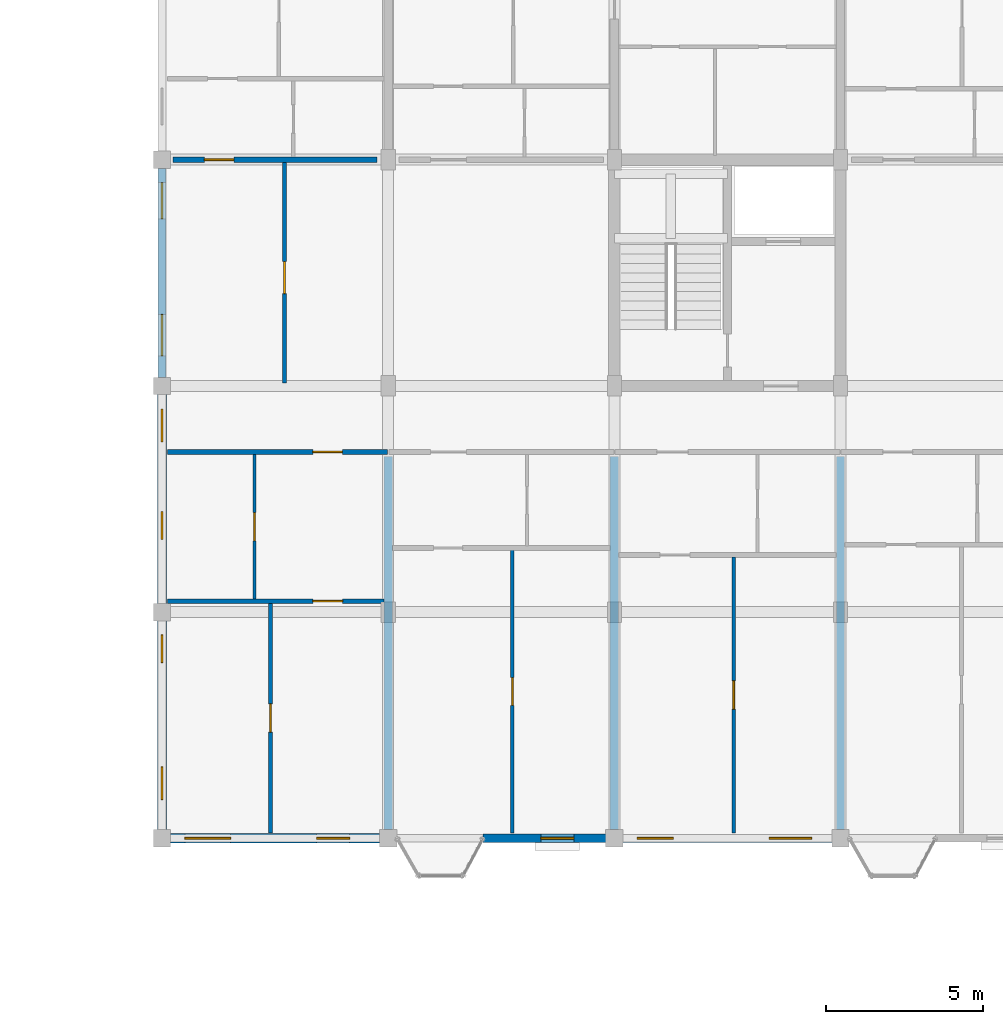
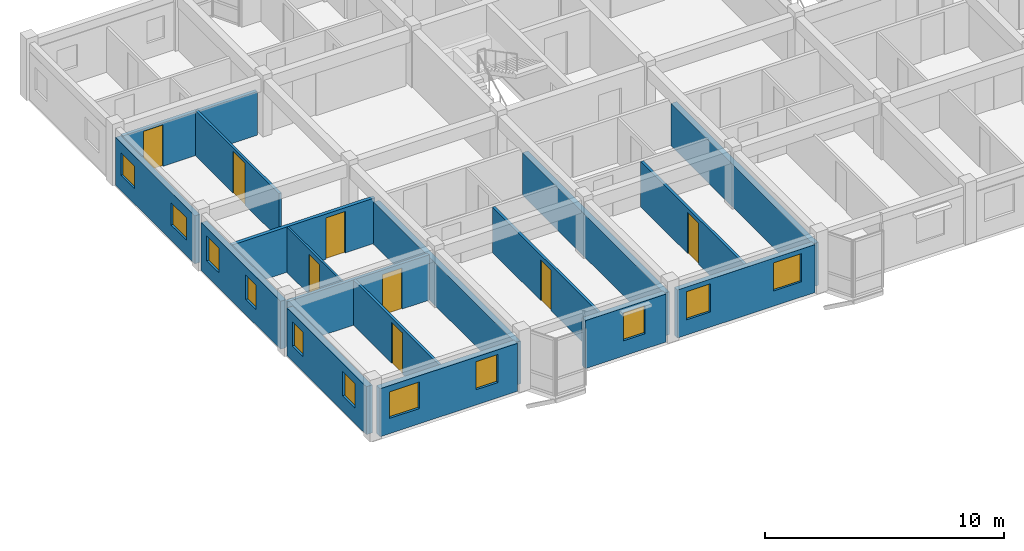
# One storey, part 65 of 77: 17 walls, 11 windows, 8 doors, 19 openings.
"""IFC4 building model written with IfcOpenShell, lengths in metres."""

import ifcopenshell
import ifcopenshell.guid

model = None  # the IFC model being written
_history = None  # IfcOwnerHistory: only IFC2X3 demands one
_inside = {}  # id of a spatial element -> (the spatial element, [elements in it])
_under = {}  # id of a project, library or spatial element -> (it, [spatial elements below it])
_declared = {}  # id of a project -> (the project, [libraries it declares])
_typed = {}  # id of a type object -> (the type object, [elements of that type])
_made_of = {}  # id of a material, layer set ... -> (it, [elements and type objects made of it])


def new_model(schema):
    """Start an empty IFC model of exactly this schema.

    Asked for "IFC4X3", IfcOpenShell would pick the latest addendum, in which some entities
    have other attributes; the version numbers below select the first issue.
    IFC2X3 requires an IfcOwnerHistory on every rooted entity: one is made here for all.
    """
    global model, _history
    if schema == "IFC4X3":
        model = ifcopenshell.file(schema_version=(4, 3, 0, 0))
    else:
        model = ifcopenshell.file(schema=schema)
    _inside.clear()
    _under.clear()
    _declared.clear()
    _typed.clear()
    _made_of.clear()
    _history = None
    if model.schema == "IFC2X3":
        org = make("IfcOrganization", Name="unknown")
        user = make(
            "IfcPersonAndOrganization",
            ThePerson=make("IfcPerson", FamilyName="unknown"),
            TheOrganization=org,
        )
        app = make(
            "IfcApplication",
            ApplicationDeveloper=org,
            Version="unknown",
            ApplicationFullName="unknown",
            ApplicationIdentifier="unknown",
        )
        _history = make(
            "IfcOwnerHistory",
            OwningUser=user,
            OwningApplication=app,
            ChangeAction="ADDED",
            CreationDate=0,
        )
    return model


def make(cls, **values):
    """One entity of the class cls with the attributes given. An attribute that is None is left unset."""
    return model.create_entity(
        cls, **{name: value for name, value in values.items() if value is not None}
    )


def rooted(cls, **values):
    """An entity with a GlobalId (a new one), such as an element, a storey or a relation."""
    return make(cls, GlobalId=ifcopenshell.guid.new(), OwnerHistory=_history, **values)


def si_unit(unit_type, name, prefix=None):
    """IfcSIUnit, for example si_unit("LENGTHUNIT", "METRE", prefix="MILLI")."""
    return make("IfcSIUnit", UnitType=unit_type, Prefix=prefix, Name=name)


def assignment(units):
    """IfcUnitAssignment: the units of a project."""
    return None if units is None else make("IfcUnitAssignment", Units=units)


def point(xyz):
    """IfcCartesianPoint."""
    return None if xyz is None else make("IfcCartesianPoint", Coordinates=xyz)


def direction(xyz):
    """IfcDirection."""
    return None if xyz is None else make("IfcDirection", DirectionRatios=xyz)


def frame(location, z_axis=None, x_axis=None):
    """IfcAxis2Placement3D, a coordinate frame: its origin and axes. An axis left out is left unset."""
    return make(
        "IfcAxis2Placement3D",
        Location=point(location),
        Axis=direction(z_axis),
        RefDirection=direction(x_axis),
    )


def frame_2d(location, x_axis=None):
    """IfcAxis2Placement2D, a coordinate frame in the plane: its origin and x axis."""
    return make(
        "IfcAxis2Placement2D", Location=point(location), RefDirection=direction(x_axis)
    )


def origin():
    """The frame at (0, 0, 0) with its axes left unset."""
    return frame((0.0, 0.0, 0.0))


def place(relative_to, where):
    """IfcLocalPlacement: puts the frame where relative to a parent placement (None: the world)."""
    return make(
        "IfcLocalPlacement", PlacementRelTo=relative_to, RelativePlacement=where
    )


def context(
    kind, dimensions, precision=None, world=None, true_north=None, identifier=None
):
    """IfcGeometricRepresentationContext, for example the 3D "Model" context."""
    return make(
        "IfcGeometricRepresentationContext",
        ContextIdentifier=identifier,
        ContextType=kind,
        CoordinateSpaceDimension=dimensions,
        Precision=precision,
        WorldCoordinateSystem=world,
        TrueNorth=true_north,
    )


def subcontext(parent, identifier, kind, view, scale=None):
    """IfcGeometricRepresentationSubContext, for example "Body" below "Model"."""
    return make(
        "IfcGeometricRepresentationSubContext",
        ContextIdentifier=identifier,
        ContextType=kind,
        ParentContext=parent,
        TargetScale=scale,
        TargetView=view,
    )


def project(units=None, contexts=None):
    """IfcProject with its units and contexts."""
    return rooted(
        "IfcProject",
        Name="project",
        RepresentationContexts=contexts,
        UnitsInContext=assignment(units),
    )


def spatial(cls, under=None, at=None, **own):
    """A site, building, storey or space (cls), placed at a placement, below another one or the project."""
    s = rooted(cls, ObjectPlacement=at, **own)
    if under is not None:
        _under.setdefault(under.id(), (under, []))[1].append(s)
    return s


def profile(cls, at=None, kind="AREA", **sizes):
    """A parametric profile (cls). Its sizes go by their IFC names, for example OverallWidth=200.0."""
    return make(cls, ProfileType=kind, Position=at, **sizes)


def rectangle(**sizes):
    """IfcRectangleProfileDef."""
    return profile("IfcRectangleProfileDef", **sizes)


def extrude(swept, where, along, depth):
    """IfcExtrudedAreaSolid: the profile swept, set in the frame where, extruded along a direction by depth."""
    return make(
        "IfcExtrudedAreaSolid",
        SweptArea=swept,
        Position=where,
        ExtrudedDirection=direction(along),
        Depth=depth,
    )


def shape(context_of_items, identifier, shape_type, items):
    """IfcShapeRepresentation: the items that make up one representation, for example the "Body"."""
    return make(
        "IfcShapeRepresentation",
        ContextOfItems=context_of_items,
        RepresentationIdentifier=identifier,
        RepresentationType=shape_type,
        Items=items,
    )


def material(Name=None, Category=None):
    """IfcMaterial."""
    return make("IfcMaterial", Name=Name, Category=Category)


def layer(
    of_material, thickness, ventilated=None, Name=None, Category=None, Priority=None
):
    """IfcMaterialLayer: one layer of a wall or slab, of a material (None: an air gap)."""
    return make(
        "IfcMaterialLayer",
        Material=of_material,
        LayerThickness=thickness,
        IsVentilated=ventilated,
        Name=Name,
        Category=Category,
        Priority=Priority,
    )


def layer_set(layers, Name=None):
    """IfcMaterialLayerSet."""
    return make("IfcMaterialLayerSet", MaterialLayers=layers, LayerSetName=Name)


def made_of(thing, what):
    """Note that an element or type object is made of a material, layer set ...; save() writes the relation."""
    if what is not None:
        _made_of.setdefault(what.id(), (what, []))[1].append(thing)
    return thing


def type_object(cls, material=None, **own):
    """A type object (cls), such as IfcWallType, which elements share."""
    return made_of(rooted(cls, **own), material)


def element(
    cls,
    number,
    at=None,
    inside=None,
    cuts=None,
    type_object=None,
    material=None,
    context=None,
    identifier="Body",
    shape_type=None,
    held_by="IfcProductDefinitionShape",
    body=None,
    shapes=None,
    **own,
):
    """One element of the class cls, such as IfcWall. Its Tag is "e" and its number.

    at: its placement. inside: the storey or other place that contains it. cuts: it is an
    opening in that element (IfcRelVoidsElement). A single representation is given by context,
    identifier, shape_type and body (its items); several are given by shapes. held_by: the class
    of the entity that holds the representations. save() writes the other relations.
    """
    e = rooted(cls, Tag="e%d" % number, ObjectPlacement=at, **own)
    if body is not None:
        shapes = [shape(context, identifier, shape_type, body)]
    if shapes is not None:
        e.Representation = make(held_by, Representations=shapes)
    if inside is not None:
        _inside.setdefault(inside.id(), (inside, []))[1].append(e)
    if cuts is not None:
        rooted(
            "IfcRelVoidsElement", RelatingBuildingElement=cuts, RelatedOpeningElement=e
        )
    if type_object is not None:
        _typed.setdefault(type_object.id(), (type_object, []))[1].append(e)
    return made_of(e, material)


def fill(opening, filler):
    """IfcRelFillsElement: the door or window that sits in an opening."""
    return rooted(
        "IfcRelFillsElement",
        RelatingOpeningElement=opening,
        RelatedBuildingElement=filler,
    )


def aggregate(whole, parts):
    """IfcRelAggregates: a whole, such as a stair, and the parts it consists of."""
    return rooted("IfcRelAggregates", RelatingObject=whole, RelatedObjects=parts)


def save(model, path):
    """Write the relations noted so far, then the file.

    IfcRelAggregates (storeys below a building ...), IfcRelContainedInSpatialStructure (elements
    in a storey), IfcRelDefinesByType, IfcRelAssociatesMaterial and IfcRelDeclares: one each for
    every whole, place, type object, material and project.
    """
    for whole, parts in _under.values():
        aggregate(whole, parts)
    for where, things in _inside.values():
        rooted(
            "IfcRelContainedInSpatialStructure",
            RelatedElements=things,
            RelatingStructure=where,
        )
    for kind, things in _typed.values():
        rooted("IfcRelDefinesByType", RelatedObjects=things, RelatingType=kind)
    for what, things in _made_of.values():
        rooted("IfcRelAssociatesMaterial", RelatedObjects=things, RelatingMaterial=what)
    for by, libraries in _declared.values():
        rooted("IfcRelDeclares", RelatingContext=by, RelatedDefinitions=libraries)
    model.write(path)


model = new_model("IFC4")

# Units and contexts
model_context = context("Model", 3, precision=1e-05, world=origin(), true_north=direction((0.0, 1.0)))
body_context = subcontext(model_context, "Body", "Model", "MODEL_VIEW")
ifc_project = project(units=[si_unit("LENGTHUNIT", "METRE"), si_unit("AREAUNIT", "SQUARE_METRE"), si_unit("VOLUMEUNIT", "CUBIC_METRE"), si_unit("PLANEANGLEUNIT", "RADIAN"), si_unit("MASSUNIT", "GRAM", prefix="KILO"), si_unit("THERMODYNAMICTEMPERATUREUNIT", "KELVIN"), si_unit("POWERUNIT", "WATT")], contexts=[model_context])

# Site, building, storey
site_placement = place(None, origin())
site = spatial("IfcSite", under=ifc_project, at=site_placement, CompositionType="ELEMENT")
building_placement = place(site_placement, origin())
building = spatial("IfcBuilding", under=site, at=building_placement, Name="Tavuni Mirador Residences", CompositionType="ELEMENT")
storey_placement = place(building_placement, frame((0.0, 0.0, 10.800048828125)))
storey = spatial("IfcBuildingStorey", under=building, at=storey_placement, Name="L03", CompositionType="ELEMENT", Elevation=10.800048828125)

# Wall, opening, door
ifc_material_1 = material(Name="Precast concrete C40/50", Category="concrete")
ifc_layer_1 = layer(ifc_material_1, 0.1650390625, Name="Precast concrete C40/50", Category="concrete")
ifc_layer_set_1 = layer_set([ifc_layer_1], Name="Precast concrete C40/50")
wall_type_1 = type_object("IfcWallType", Name="WT-CORR165", PredefinedType="PARTITIONING", material=ifc_layer_set_1)
wall_1_placement = place(storey_placement, frame((10.97509765625, 156.300048828125, 0.0), z_axis=(0.0, 0.0, 1.0), x_axis=(1.0, 0.0, 0.0)))
wall_1 = element("IfcWall", 1, at=wall_1_placement, inside=storey, type_object=wall_type_1, Name="CORW-BLK-C-L03-0-00", PredefinedType="PARTITIONING", context=body_context, shape_type="SweptSolid", body=[
    extrude(rectangle(XDim=7.0048828125, YDim=0.1650390625, at=frame_2d((3.50244140625, 0.0))), origin(), (0.0, 0.0, 1.0), 2.320068359375),
])
opening_1_placement = place(wall_1_placement, frame((4.625, 0.0, 0.0)))
opening_1 = element("IfcOpeningElement", 2, at=opening_1_placement, cuts=wall_1, Name="Opening D-19", PredefinedType="OPENING", context=body_context, shape_type="SweptSolid", body=[
    extrude(rectangle(XDim=0.93994140625, YDim=2.1201171875, at=frame_2d((0.469970703125, 1.06005859375))), frame((0.0, 0.092529296875, 0.0), z_axis=(0.0, -1.0, 0.0), x_axis=(1.0, 0.0, 0.0)), (0.0, 0.0, 1.0), 0.18505859375),
])
ifc_material_2 = material(Name="Solid core iroko timber", Category="wood")
door_type_1 = type_object("IfcDoorType", Name="DT-FD60-940", OperationType="NOTDEFINED", PredefinedType="DOOR", material=ifc_material_2)
door_1_placement = place(opening_1_placement, origin())
door_1 = element("IfcDoor", 3, at=door_1_placement, inside=storey, type_object=door_type_1, Name="DR-2659", OperationType="SINGLE_SWING_RIGHT", OverallHeight=2.1201171875, OverallWidth=0.93994140625, PredefinedType="DOOR", context=body_context, shape_type="SweptSolid", body=[
    extrude(rectangle(XDim=0.93994140625, YDim=2.1201171875, at=frame_2d((0.469970703125, 1.06005859375))), frame((0.0, 0.02490234375, 0.0), z_axis=(0.0, -1.0, 0.0), x_axis=(1.0, 0.0, 0.0)), (0.0, 0.0, 1.0), 0.050048828125),
])
fill(opening_1, door_1)

wall_2_placement = place(storey_placement, frame((11.14990234375, 165.60009765625, 0.0), z_axis=(0.0, 0.0, 1.0), x_axis=(1.0, 0.0, 0.0)))
wall_2 = element("IfcWall", 4, at=wall_2_placement, inside=storey, type_object=wall_type_1, Name="CORW-BLK-C-L03-1-00", PredefinedType="PARTITIONING", context=body_context, shape_type="SweptSolid", body=[
    extrude(rectangle(XDim=6.5, YDim=0.1650390625, at=frame_2d((3.25, 0.0))), origin(), (0.0, 0.0, 1.0), 2.23486328125),
])
opening_2_placement = place(wall_2_placement, frame((1.0, 0.0, 0.0)))
opening_2 = element("IfcOpeningElement", 5, at=opening_2_placement, cuts=wall_2, Name="Opening D-19", PredefinedType="OPENING", context=body_context, shape_type="SweptSolid", body=[
    extrude(rectangle(XDim=0.93994140625, YDim=2.1201171875, at=frame_2d((0.469970703125, 1.06005859375))), frame((0.0, 0.092529296875, 0.0), z_axis=(0.0, -1.0, 0.0), x_axis=(1.0, 0.0, 0.0)), (0.0, 0.0, 1.0), 0.18505859375),
])
door_2_placement = place(opening_2_placement, origin())
door_2 = element("IfcDoor", 6, at=door_2_placement, inside=storey, type_object=door_type_1, Name="DR-2668", OperationType="SINGLE_SWING_LEFT", OverallHeight=2.1201171875, OverallWidth=0.93994140625, PredefinedType="DOOR", context=body_context, shape_type="SweptSolid", body=[
    extrude(rectangle(XDim=0.93994140625, YDim=2.1201171875, at=frame_2d((0.469970703125, 1.06005859375))), frame((0.0, 0.02490234375, 0.0), z_axis=(0.0, -1.0, 0.0), x_axis=(1.0, 0.0, 0.0)), (0.0, 0.0, 1.0), 0.050048828125),
])
fill(opening_2, door_2)

# Wall, openings, windows
ifc_material_3 = material(Name="Sgraffito lime-rendered precast concrete C40/50", Category="concrete")
ifc_layer_2 = layer(ifc_material_3, 0.2548828125, Name="Sgraffito lime-rendered precast concrete C40/50", Category="concrete")
ifc_layer_set_2 = layer_set([ifc_layer_2], Name="Sgraffito lime-rendered precast concrete C40/50")
wall_type_2 = type_object("IfcWallType", Name="WT-EXT-PC255", PredefinedType="SOLIDWALL", material=ifc_layer_set_2)
wall_3_placement = place(storey_placement, frame((25.47509765625, 144.0, 0.0), z_axis=(0.0, 0.0, 1.0), x_axis=(1.0, 0.0, 0.0)))
wall_3 = element("IfcWall", 7, at=wall_3_placement, inside=storey, type_object=wall_type_2, Name="EW-BLK-C-L03-S02", PredefinedType="SOLIDWALL", context=body_context, shape_type="SweptSolid", body=[
    extrude(rectangle(XDim=6.64990234375, YDim=0.2548828125, at=frame_2d((3.324951171875, 0.0))), origin(), (0.0, 0.0, 1.0), 2.454833984375),
])
opening_3_placement = place(wall_3_placement, frame((0.449951171875, 0.0, 0.780029296875)))
opening_3 = element("IfcOpeningElement", 8, at=opening_3_placement, cuts=wall_3, Name="Opening WN-27", PredefinedType="OPENING", context=body_context, shape_type="SweptSolid", body=[
    extrude(rectangle(XDim=1.14990234375, YDim=1.43994140625, at=frame_2d((0.574951171875, 0.719970703125))), frame((0.0, 0.137451171875, 0.0), z_axis=(0.0, -1.0, 0.0), x_axis=(1.0, 0.0, 0.0)), (0.0, 0.0, 1.0), 0.27490234375),
])
opening_4_placement = place(wall_3_placement, frame((4.64990234375, 0.0, 0.780029296875)))
opening_4 = element("IfcOpeningElement", 9, at=opening_4_placement, cuts=wall_3, Name="Opening WN-29", PredefinedType="OPENING", context=body_context, shape_type="SweptSolid", body=[
    extrude(rectangle(XDim=1.35009765625, YDim=1.43994140625, at=frame_2d((0.675048828125, 0.719970703125))), frame((0.0, 0.137451171875, 0.0), z_axis=(0.0, -1.0, 0.0), x_axis=(1.0, 0.0, 0.0)), (0.0, 0.0, 1.0), 0.27490234375),
])
ifc_material_4 = material(Name="Laminated solar-control glass", Category="glass")
window_type_1 = type_object("IfcWindowType", Name="WNT-27", PartitioningType="SINGLE_PANEL", PredefinedType="WINDOW", material=ifc_material_4)
window_1_placement = place(opening_3_placement, origin())
window_1 = element("IfcWindow", 10, at=window_1_placement, inside=storey, type_object=window_type_1, Name="WIN-0953", OverallHeight=1.43994140625, OverallWidth=1.14990234375, PartitioningType="SINGLE_PANEL", PredefinedType="WINDOW", context=body_context, shape_type="SweptSolid", body=[
    extrude(rectangle(XDim=1.14990234375, YDim=1.43994140625, at=frame_2d((0.574951171875, 0.719970703125))), frame((0.0, 0.030029296875, 0.0), z_axis=(0.0, -1.0, 0.0), x_axis=(1.0, 0.0, 0.0)), (0.0, 0.0, 1.0), 0.06005859375),
])
fill(opening_3, window_1)
window_type_2 = type_object("IfcWindowType", Name="WNT-29", PartitioningType="SINGLE_PANEL", PredefinedType="WINDOW", material=ifc_material_4)
window_2_placement = place(opening_4_placement, origin())
window_2 = element("IfcWindow", 11, at=window_2_placement, inside=storey, type_object=window_type_2, Name="WIN-0954", OverallHeight=1.43994140625, OverallWidth=1.35009765625, PartitioningType="SINGLE_PANEL", PredefinedType="WINDOW", context=body_context, shape_type="SweptSolid", body=[
    extrude(rectangle(XDim=1.35009765625, YDim=1.43994140625, at=frame_2d((0.675048828125, 0.719970703125))), frame((0.0, 0.030029296875, 0.0), z_axis=(0.0, -1.0, 0.0), x_axis=(1.0, 0.0, 0.0)), (0.0, 0.0, 1.0), 0.06005859375),
])
fill(opening_4, window_2)

wall_4_placement = place(storey_placement, frame((10.800048828125, 165.324951171875, 0.0), z_axis=(0.0, 0.0, 1.0), x_axis=(0.0, -1.0, 0.0)))
wall_4 = element("IfcWall", 12, at=wall_4_placement, inside=storey, type_object=wall_type_2, Name="EW-BLK-C-L03-W02", PredefinedType="SOLIDWALL", context=body_context, shape_type="SweptSolid", body=[
    extrude(rectangle(XDim=6.64990234375, YDim=0.2548828125, at=frame_2d((3.324951171875, 0.0))), origin(), (0.0, 0.0, 1.0), 2.454833984375),
])
opening_5_placement = place(wall_4_placement, frame((0.449951171875, 0.0, 0.780029296875)))
opening_5 = element("IfcOpeningElement", 13, at=opening_5_placement, cuts=wall_4, Name="Opening WN-05", PredefinedType="OPENING", context=body_context, shape_type="SweptSolid", body=[
    extrude(rectangle(XDim=1.159912109375, YDim=1.14990234375, at=frame_2d((0.580078125, 0.574951171875))), frame((0.0, 0.137451171875, 0.0), z_axis=(0.0, -1.0, 0.0), x_axis=(1.0, 0.0, 0.0)), (0.0, 0.0, 1.0), 0.27490234375),
])
opening_6_placement = place(wall_4_placement, frame((4.64990234375, 0.0, 0.780029296875)))
opening_6 = element("IfcOpeningElement", 14, at=opening_6_placement, cuts=wall_4, Name="Opening WN-07", PredefinedType="OPENING", context=body_context, shape_type="SweptSolid", body=[
    extrude(rectangle(XDim=1.320068359375, YDim=1.14990234375, at=frame_2d((0.66015625, 0.574951171875))), frame((0.0, 0.137451171875, 0.0), z_axis=(0.0, -1.0, 0.0), x_axis=(1.0, 0.0, 0.0)), (0.0, 0.0, 1.0), 0.27490234375),
])
window_type_3 = type_object("IfcWindowType", Name="WNT-05", PartitioningType="SINGLE_PANEL", PredefinedType="WINDOW", material=ifc_material_4)
window_3_placement = place(opening_5_placement, origin())
window_3 = element("IfcWindow", 15, at=window_3_placement, inside=storey, type_object=window_type_3, Name="WIN-0991", OverallHeight=1.14990234375, OverallWidth=1.159912109375, PartitioningType="SINGLE_PANEL", PredefinedType="WINDOW", context=body_context, shape_type="SweptSolid", body=[
    extrude(rectangle(XDim=1.159912109375, YDim=1.14990234375, at=frame_2d((0.580078125, 0.574951171875))), frame((0.0, 0.030029296875, 0.0), z_axis=(0.0, -1.0, 0.0), x_axis=(1.0, 0.0, 0.0)), (0.0, 0.0, 1.0), 0.06005859375),
])
fill(opening_5, window_3)
window_type_4 = type_object("IfcWindowType", Name="WNT-07", PartitioningType="SINGLE_PANEL", PredefinedType="WINDOW", material=ifc_material_4)
window_4_placement = place(opening_6_placement, origin())
window_4 = element("IfcWindow", 16, at=window_4_placement, inside=storey, type_object=window_type_4, Name="WIN-0992", OverallHeight=1.14990234375, OverallWidth=1.320068359375, PartitioningType="SINGLE_PANEL", PredefinedType="WINDOW", context=body_context, shape_type="SweptSolid", body=[
    extrude(rectangle(XDim=1.320068359375, YDim=1.14990234375, at=frame_2d((0.66015625, 0.574951171875))), frame((0.0, 0.030029296875, 0.0), z_axis=(0.0, -1.0, 0.0), x_axis=(1.0, 0.0, 0.0)), (0.0, 0.0, 1.0), 0.06005859375),
])
fill(opening_6, window_4)

# Wall, opening, window
ifc_layer_3 = layer(ifc_material_3, 0.27490234375, Name="Sgraffito lime-rendered precast concrete C40/50", Category="concrete")
ifc_layer_set_3 = layer_set([ifc_layer_3], Name="Sgraffito lime-rendered precast concrete C40/50")
wall_type_3 = type_object("IfcWallType", Name="WT-EXT-PC275", PredefinedType="SOLIDWALL", material=ifc_layer_set_3)
wall_5_placement = place(storey_placement, frame((21.02001953125, 144.0, 0.0), z_axis=(0.0, 0.0, 1.0), x_axis=(1.0, 0.0, 0.0)))
wall_5 = element("IfcWall", 17, at=wall_5_placement, inside=storey, type_object=wall_type_3, Name="EW-BLK-C-L03-S01", PredefinedType="SOLIDWALL", context=body_context, shape_type="SweptSolid", body=[
    extrude(rectangle(XDim=3.905029296875, YDim=0.27490234375, at=frame_2d((1.95263671875, 0.0))), origin(), (0.0, 0.0, 1.0), 2.454833984375),
])
opening_7_placement = place(wall_5_placement, frame((1.83740234375, 0.0, 0.780029296875)))
opening_7 = element("IfcOpeningElement", 18, at=opening_7_placement, cuts=wall_5, Name="Opening WN-26", PredefinedType="OPENING", context=body_context, shape_type="SweptSolid", body=[
    extrude(rectangle(XDim=1.050048828125, YDim=1.43994140625, at=frame_2d((0.52490234375, 0.719970703125))), frame((0.0, 0.1474609375, 0.0), z_axis=(0.0, -1.0, 0.0), x_axis=(1.0, 0.0, 0.0)), (0.0, 0.0, 1.0), 0.294921875),
])
window_type_5 = type_object("IfcWindowType", Name="WNT-26", PartitioningType="SINGLE_PANEL", PredefinedType="WINDOW", material=ifc_material_4)
window_5_placement = place(opening_7_placement, origin())
window_5 = element("IfcWindow", 19, at=window_5_placement, inside=storey, type_object=window_type_5, Name="WIN-0952", OverallHeight=1.43994140625, OverallWidth=1.050048828125, PartitioningType="SINGLE_PANEL", PredefinedType="WINDOW", context=body_context, shape_type="SweptSolid", body=[
    extrude(rectangle(XDim=1.050048828125, YDim=1.43994140625, at=frame_2d((0.52490234375, 0.719970703125))), frame((0.0, 0.030029296875, 0.0), z_axis=(0.0, -1.0, 0.0), x_axis=(1.0, 0.0, 0.0)), (0.0, 0.0, 1.0), 0.06005859375),
])
fill(opening_7, window_5)

# Wall, openings, windows
wall_6_placement = place(storey_placement, frame((10.800048828125, 158.125, 0.0), z_axis=(0.0, 0.0, 1.0), x_axis=(0.0, -1.0, 0.0)))
wall_6 = element("IfcWall", 20, at=wall_6_placement, inside=storey, type_object=wall_type_3, Name="EW-BLK-C-L03-W01", PredefinedType="SOLIDWALL", context=body_context, shape_type="SweptSolid", body=[
    extrude(rectangle(XDim=6.64990234375, YDim=0.27490234375, at=frame_2d((3.324951171875, 0.0))), origin(), (0.0, 0.0, 1.0), 2.454833984375),
])
opening_8_placement = place(wall_6_placement, frame((0.46240234375, 0.0, 0.780029296875)))
opening_8 = element("IfcOpeningElement", 21, at=opening_8_placement, cuts=wall_6, Name="Opening WN-11", PredefinedType="OPENING", context=body_context, shape_type="SweptSolid", body=[
    extrude(rectangle(XDim=1.0400390625, YDim=1.260009765625, at=frame_2d((0.52001953125, 0.6298828125))), frame((0.0, 0.1474609375, 0.0), z_axis=(0.0, -1.0, 0.0), x_axis=(1.0, 0.0, 0.0)), (0.0, 0.0, 1.0), 0.294921875),
])
opening_9_placement = place(wall_6_placement, frame((3.7275390625, 0.0, 0.780029296875)))
opening_9 = element("IfcOpeningElement", 22, at=opening_9_placement, cuts=wall_6, Name="Opening WN-09", PredefinedType="OPENING", context=body_context, shape_type="SweptSolid", body=[
    extrude(rectangle(XDim=0.8798828125, YDim=1.260009765625, at=frame_2d((0.43994140625, 0.6298828125))), frame((0.0, 0.1474609375, 0.0), z_axis=(0.0, -1.0, 0.0), x_axis=(1.0, 0.0, 0.0)), (0.0, 0.0, 1.0), 0.294921875),
])
window_type_6 = type_object("IfcWindowType", Name="WNT-09", PartitioningType="SINGLE_PANEL", PredefinedType="WINDOW", material=ifc_material_4)
window_6_placement = place(opening_9_placement, origin())
window_6 = element("IfcWindow", 23, at=window_6_placement, inside=storey, type_object=window_type_6, Name="WIN-0994", OverallHeight=1.260009765625, OverallWidth=0.8798828125, PartitioningType="SINGLE_PANEL", PredefinedType="WINDOW", context=body_context, shape_type="SweptSolid", body=[
    extrude(rectangle(XDim=0.8798828125, YDim=1.260009765625, at=frame_2d((0.43994140625, 0.6298828125))), frame((0.0, 0.030029296875, 0.0), z_axis=(0.0, -1.0, 0.0), x_axis=(1.0, 0.0, 0.0)), (0.0, 0.0, 1.0), 0.06005859375),
])
fill(opening_9, window_6)
window_type_7 = type_object("IfcWindowType", Name="WNT-11", PartitioningType="SINGLE_PANEL", PredefinedType="WINDOW", material=ifc_material_4)
window_7_placement = place(opening_8_placement, origin())
window_7 = element("IfcWindow", 24, at=window_7_placement, inside=storey, type_object=window_type_7, Name="WIN-0993", OverallHeight=1.260009765625, OverallWidth=1.0400390625, PartitioningType="SINGLE_PANEL", PredefinedType="WINDOW", context=body_context, shape_type="SweptSolid", body=[
    extrude(rectangle(XDim=1.0400390625, YDim=1.260009765625, at=frame_2d((0.52001953125, 0.6298828125))), frame((0.0, 0.030029296875, 0.0), z_axis=(0.0, -1.0, 0.0), x_axis=(1.0, 0.0, 0.0)), (0.0, 0.0, 1.0), 0.06005859375),
])
fill(opening_8, window_7)

ifc_layer_4 = layer(ifc_material_3, 0.2900390625, Name="Sgraffito lime-rendered precast concrete C40/50", Category="concrete")
ifc_layer_set_4 = layer_set([ifc_layer_4], Name="Sgraffito lime-rendered precast concrete C40/50")
wall_type_4 = type_object("IfcWallType", Name="WT-EXT-PC290", PredefinedType="SOLIDWALL", material=ifc_layer_set_4)
wall_7_placement = place(storey_placement, frame((11.074951171875, 144.0, 0.0), z_axis=(0.0, 0.0, 1.0), x_axis=(1.0, 0.0, 0.0)))
wall_7 = element("IfcWall", 25, at=wall_7_placement, inside=storey, type_object=wall_type_4, Name="EW-BLK-C-L03-S00", PredefinedType="SOLIDWALL", context=body_context, shape_type="SweptSolid", body=[
    extrude(rectangle(XDim=6.650146484375, YDim=0.2900390625, at=frame_2d((3.3251953125, 0.0))), origin(), (0.0, 0.0, 1.0), 2.454833984375),
])
opening_10_placement = place(wall_7_placement, frame((0.449951171875, 0.0, 0.780029296875)))
opening_10 = element("IfcOpeningElement", 26, at=opening_10_placement, cuts=wall_7, Name="Opening WN-24", PredefinedType="OPENING", context=body_context, shape_type="SweptSolid", body=[
    extrude(rectangle(XDim=1.4599609375, YDim=1.360107421875, at=frame_2d((0.72998046875, 0.68017578125))), frame((0.0, 0.155029296875, 0.0), z_axis=(0.0, -1.0, 0.0), x_axis=(1.0, 0.0, 0.0)), (0.0, 0.0, 1.0), 0.31005859375),
])
opening_11_placement = place(wall_7_placement, frame((4.64990234375, 0.0, 0.780029296875)))
opening_11 = element("IfcOpeningElement", 27, at=opening_11_placement, cuts=wall_7, Name="Opening WN-26", PredefinedType="OPENING", context=body_context, shape_type="SweptSolid", body=[
    extrude(rectangle(XDim=1.050048828125, YDim=1.43994140625, at=frame_2d((0.52490234375, 0.719970703125))), frame((0.0, 0.155029296875, 0.0), z_axis=(0.0, -1.0, 0.0), x_axis=(1.0, 0.0, 0.0)), (0.0, 0.0, 1.0), 0.31005859375),
])
window_type_8 = type_object("IfcWindowType", Name="WNT-24", PartitioningType="SINGLE_PANEL", PredefinedType="WINDOW", material=ifc_material_4)
window_8_placement = place(opening_10_placement, origin())
window_8 = element("IfcWindow", 28, at=window_8_placement, inside=storey, type_object=window_type_8, Name="WIN-0950", OverallHeight=1.360107421875, OverallWidth=1.4599609375, PartitioningType="SINGLE_PANEL", PredefinedType="WINDOW", context=body_context, shape_type="SweptSolid", body=[
    extrude(rectangle(XDim=1.4599609375, YDim=1.360107421875, at=frame_2d((0.72998046875, 0.68017578125))), frame((0.0, 0.030029296875, 0.0), z_axis=(0.0, -1.0, 0.0), x_axis=(1.0, 0.0, 0.0)), (0.0, 0.0, 1.0), 0.06005859375),
])
fill(opening_10, window_8)
window_9_placement = place(opening_11_placement, origin())
window_9 = element("IfcWindow", 29, at=window_9_placement, inside=storey, type_object=window_type_5, Name="WIN-0951", OverallHeight=1.43994140625, OverallWidth=1.050048828125, PartitioningType="SINGLE_PANEL", PredefinedType="WINDOW", context=body_context, shape_type="SweptSolid", body=[
    extrude(rectangle(XDim=1.050048828125, YDim=1.43994140625, at=frame_2d((0.52490234375, 0.719970703125))), frame((0.0, 0.030029296875, 0.0), z_axis=(0.0, -1.0, 0.0), x_axis=(1.0, 0.0, 0.0)), (0.0, 0.0, 1.0), 0.06005859375),
])
fill(opening_11, window_9)

wall_8_placement = place(storey_placement, frame((10.800048828125, 150.925048828125, 0.0), z_axis=(0.0, 0.0, 1.0), x_axis=(0.0, -1.0, 0.0)))
wall_8 = element("IfcWall", 30, at=wall_8_placement, inside=storey, type_object=wall_type_4, Name="EW-BLK-C-L03-W00", PredefinedType="SOLIDWALL", context=body_context, shape_type="SweptSolid", body=[
    extrude(rectangle(XDim=6.650146484375, YDim=0.2900390625, at=frame_2d((3.3251953125, 0.0))), origin(), (0.0, 0.0, 1.0), 2.454833984375),
])
opening_12_placement = place(wall_8_placement, frame((0.449951171875, 0.0, 0.780029296875)))
opening_12 = element("IfcOpeningElement", 31, at=opening_12_placement, cuts=wall_8, Name="Opening WN-09", PredefinedType="OPENING", context=body_context, shape_type="SweptSolid", body=[
    extrude(rectangle(XDim=0.8798828125, YDim=1.260009765625, at=frame_2d((0.43994140625, 0.6298828125))), frame((0.0, 0.155029296875, 0.0), z_axis=(0.0, -1.0, 0.0), x_axis=(1.0, 0.0, 0.0)), (0.0, 0.0, 1.0), 0.31005859375),
])
opening_13_placement = place(wall_8_placement, frame((4.64990234375, 0.0, 0.780029296875)))
opening_13 = element("IfcOpeningElement", 32, at=opening_13_placement, cuts=wall_8, Name="Opening WN-11", PredefinedType="OPENING", context=body_context, shape_type="SweptSolid", body=[
    extrude(rectangle(XDim=1.0400390625, YDim=1.260009765625, at=frame_2d((0.52001953125, 0.6298828125))), frame((0.0, 0.155029296875, 0.0), z_axis=(0.0, -1.0, 0.0), x_axis=(1.0, 0.0, 0.0)), (0.0, 0.0, 1.0), 0.31005859375),
])
window_10_placement = place(opening_12_placement, origin())
window_10 = element("IfcWindow", 33, at=window_10_placement, inside=storey, type_object=window_type_6, Name="WIN-0995", OverallHeight=1.260009765625, OverallWidth=0.8798828125, PartitioningType="SINGLE_PANEL", PredefinedType="WINDOW", context=body_context, shape_type="SweptSolid", body=[
    extrude(rectangle(XDim=0.8798828125, YDim=1.260009765625, at=frame_2d((0.43994140625, 0.6298828125))), frame((0.0, 0.030029296875, 0.0), z_axis=(0.0, -1.0, 0.0), x_axis=(1.0, 0.0, 0.0)), (0.0, 0.0, 1.0), 0.06005859375),
])
fill(opening_12, window_10)
window_11_placement = place(opening_13_placement, origin())
window_11 = element("IfcWindow", 34, at=window_11_placement, inside=storey, type_object=window_type_7, Name="WIN-0996", OverallHeight=1.260009765625, OverallWidth=1.0400390625, PartitioningType="SINGLE_PANEL", PredefinedType="WINDOW", context=body_context, shape_type="SweptSolid", body=[
    extrude(rectangle(XDim=1.0400390625, YDim=1.260009765625, at=frame_2d((0.52001953125, 0.6298828125))), frame((0.0, 0.030029296875, 0.0), z_axis=(0.0, -1.0, 0.0), x_axis=(1.0, 0.0, 0.0)), (0.0, 0.0, 1.0), 0.06005859375),
])
fill(opening_13, window_11)

# Wall, opening, door
ifc_material_5 = material(Name="Acoustic gypsum and concrete block partition", Category="concrete")
ifc_layer_5 = layer(ifc_material_5, 0.094970703125, Name="Acoustic gypsum and concrete block partition", Category="concrete")
ifc_layer_set_5 = layer_set([ifc_layer_5], Name="Acoustic gypsum and concrete block partition")
wall_type_5 = type_object("IfcWallType", Name="WT-PART095", PredefinedType="PARTITIONING", material=ifc_layer_set_5)
wall_9_placement = place(storey_placement, frame((13.75, 151.6201171875, 0.0), z_axis=(0.0, 0.0, 1.0), x_axis=(0.0, 1.0, 0.0)))
wall_9 = element("IfcWall", 35, at=wall_9_placement, inside=storey, type_object=wall_type_5, Name="PW-BLK-C-L03-S00-IN1", PredefinedType="PARTITIONING", context=body_context, shape_type="SweptSolid", body=[
    extrude(rectangle(XDim=4.58984375, YDim=0.094970703125, at=frame_2d((2.294921875, 0.0))), origin(), (0.0, 0.0, 1.0), 2.320068359375),
])
opening_14_placement = place(wall_9_placement, frame((1.844970703125, 0.0, 0.0)))
opening_14 = element("IfcOpeningElement", 36, at=opening_14_placement, cuts=wall_9, Name="Opening D-09", PredefinedType="OPENING", context=body_context, shape_type="SweptSolid", body=[
    extrude(rectangle(XDim=0.89990234375, YDim=2.050048828125, at=frame_2d((0.449951171875, 1.02490234375))), frame((0.0, 0.0576171875, 0.0), z_axis=(0.0, -1.0, 0.0), x_axis=(1.0, 0.0, 0.0)), (0.0, 0.0, 1.0), 0.114990234375),
])
door_type_2 = type_object("IfcDoorType", Name="DT-WC900", OperationType="NOTDEFINED", PredefinedType="DOOR", material=ifc_material_2)
door_3_placement = place(opening_14_placement, origin())
door_3 = element("IfcDoor", 37, at=door_3_placement, inside=storey, type_object=door_type_2, Name="DR-3797", OperationType="SINGLE_SWING_LEFT", OverallHeight=2.050048828125, OverallWidth=0.89990234375, PredefinedType="DOOR", context=body_context, shape_type="SweptSolid", body=[
    extrude(rectangle(XDim=0.89990234375, YDim=2.050048828125, at=frame_2d((0.449951171875, 1.02490234375))), frame((0.0, 0.02490234375, 0.0), z_axis=(0.0, -1.0, 0.0), x_axis=(1.0, 0.0, 0.0)), (0.0, 0.0, 1.0), 0.050048828125),
])
fill(opening_14, door_3)

ifc_layer_6 = layer(ifc_material_5, 0.114990234375, Name="Acoustic gypsum and concrete block partition", Category="concrete")
ifc_layer_set_6 = layer_set([ifc_layer_6], Name="Acoustic gypsum and concrete block partition")
wall_type_6 = type_object("IfcWallType", Name="WT-PART115", PredefinedType="PARTITIONING", material=ifc_layer_set_6)
wall_10_placement = place(storey_placement, frame((14.699951171875, 158.489990234375, 0.0), z_axis=(0.0, 0.0, 1.0), x_axis=(0.0, 1.0, 0.0)))
wall_10 = element("IfcWall", 38, at=wall_10_placement, inside=storey, type_object=wall_type_6, Name="PW-SPN-BLK-C-L03-00", PredefinedType="PARTITIONING", context=body_context, shape_type="SweptSolid", body=[
    extrude(rectangle(XDim=7.02001953125, YDim=0.114990234375, at=frame_2d((3.510009765625, 0.0))), origin(), (0.0, 0.0, 1.0), 2.320068359375),
])
opening_15_placement = place(wall_10_placement, frame((2.85009765625, 0.0, 0.0)))
opening_15 = element("IfcOpeningElement", 39, at=opening_15_placement, cuts=wall_10, Name="Opening D-13", PredefinedType="OPENING", context=body_context, shape_type="SweptSolid", body=[
    extrude(rectangle(XDim=1.02001953125, YDim=2.14990234375, at=frame_2d((0.510009765625, 1.074951171875))), frame((0.0, 0.0673828125, 0.0), z_axis=(0.0, -1.0, 0.0), x_axis=(1.0, 0.0, 0.0)), (0.0, 0.0, 1.0), 0.135009765625),
])
door_type_3 = type_object("IfcDoorType", Name="DT-MTG1020", OperationType="NOTDEFINED", PredefinedType="DOOR", material=ifc_material_2)
door_4_placement = place(opening_15_placement, origin())
door_4 = element("IfcDoor", 40, at=door_4_placement, inside=storey, type_object=door_type_3, Name="DR-3795", OperationType="SINGLE_SWING_RIGHT", OverallHeight=2.14990234375, OverallWidth=1.02001953125, PredefinedType="DOOR", context=body_context, shape_type="SweptSolid", body=[
    extrude(rectangle(XDim=1.02001953125, YDim=2.14990234375, at=frame_2d((0.510009765625, 1.074951171875))), frame((0.0, 0.02490234375, 0.0), z_axis=(0.0, -1.0, 0.0), x_axis=(1.0, 0.0, 0.0)), (0.0, 0.0, 1.0), 0.050048828125),
])
fill(opening_15, door_4)

ifc_layer_7 = layer(ifc_material_5, 0.125, Name="Acoustic gypsum and concrete block partition", Category="concrete")
ifc_layer_set_7 = layer_set([ifc_layer_7], Name="Acoustic gypsum and concrete block partition")
wall_type_7 = type_object("IfcWallType", Name="WT-PART125", PredefinedType="PARTITIONING", material=ifc_layer_set_7)
wall_11_placement = place(storey_placement, frame((14.25, 144.175048828125, 0.0), z_axis=(0.0, 0.0, 1.0), x_axis=(0.0, 1.0, 0.0)))
wall_11 = element("IfcWall", 41, at=wall_11_placement, inside=storey, type_object=wall_type_7, Name="PW-BLK-C-L03-S00-OUT", PredefinedType="PARTITIONING", context=body_context, shape_type="SweptSolid", body=[
    extrude(rectangle(XDim=7.304931640625, YDim=0.125, at=frame_2d((3.65234375, 0.0))), origin(), (0.0, 0.0, 1.0), 2.320068359375),
])
opening_16_placement = place(wall_11_placement, frame((3.202392578125, 0.0, 0.0)))
opening_16 = element("IfcOpeningElement", 42, at=opening_16_placement, cuts=wall_11, Name="Opening D-07", PredefinedType="OPENING", context=body_context, shape_type="SweptSolid", body=[
    extrude(rectangle(XDim=0.89990234375, YDim=2.10009765625, at=frame_2d((0.449951171875, 1.050048828125))), frame((0.0, 0.072509765625, 0.0), z_axis=(0.0, -1.0, 0.0), x_axis=(1.0, 0.0, 0.0)), (0.0, 0.0, 1.0), 0.14501953125),
])
door_type_4 = type_object("IfcDoorType", Name="DT-BED900", OperationType="NOTDEFINED", PredefinedType="DOOR", material=ifc_material_2)
door_5_placement = place(opening_16_placement, origin())
door_5 = element("IfcDoor", 43, at=door_5_placement, inside=storey, type_object=door_type_4, Name="DR-3796", OperationType="SINGLE_SWING_RIGHT", OverallHeight=2.10009765625, OverallWidth=0.89990234375, PredefinedType="DOOR", context=body_context, shape_type="SweptSolid", body=[
    extrude(rectangle(XDim=0.89990234375, YDim=2.10009765625, at=frame_2d((0.449951171875, 1.050048828125))), frame((0.0, 0.02490234375, 0.0), z_axis=(0.0, -1.0, 0.0), x_axis=(1.0, 0.0, 0.0)), (0.0, 0.0, 1.0), 0.050048828125),
])
fill(opening_16, door_5)

wall_12_placement = place(storey_placement, frame((21.949951171875, 144.175048828125, 0.0), z_axis=(0.0, 0.0, 1.0), x_axis=(0.0, 1.0, 0.0)))
wall_12 = element("IfcWall", 44, at=wall_12_placement, inside=storey, type_object=wall_type_7, Name="PW-BLK-C-L03-S01-OUT", PredefinedType="PARTITIONING", context=body_context, shape_type="SweptSolid", body=[
    extrude(rectangle(XDim=8.994873046875, YDim=0.125, at=frame_2d((4.49755859375, 0.0))), origin(), (0.0, 0.0, 1.0), 2.320068359375),
])
opening_17_placement = place(wall_12_placement, frame((4.0576171875, 0.0, 0.0)))
opening_17 = element("IfcOpeningElement", 45, at=opening_17_placement, cuts=wall_12, Name="Opening D-08", PredefinedType="OPENING", context=body_context, shape_type="SweptSolid", body=[
    extrude(rectangle(XDim=0.8798828125, YDim=2.080078125, at=frame_2d((0.43994140625, 1.0400390625))), frame((0.0, 0.072509765625, 0.0), z_axis=(0.0, -1.0, 0.0), x_axis=(1.0, 0.0, 0.0)), (0.0, 0.0, 1.0), 0.14501953125),
])
door_type_5 = type_object("IfcDoorType", Name="DT-BED880", OperationType="NOTDEFINED", PredefinedType="DOOR", material=ifc_material_2)
door_6_placement = place(opening_17_placement, origin())
door_6 = element("IfcDoor", 46, at=door_6_placement, inside=storey, type_object=door_type_5, Name="DR-3802", OperationType="SINGLE_SWING_LEFT", OverallHeight=2.080078125, OverallWidth=0.8798828125, PredefinedType="DOOR", context=body_context, shape_type="SweptSolid", body=[
    extrude(rectangle(XDim=0.8798828125, YDim=2.080078125, at=frame_2d((0.43994140625, 1.0400390625))), frame((0.0, 0.02490234375, 0.0), z_axis=(0.0, -1.0, 0.0), x_axis=(1.0, 0.0, 0.0)), (0.0, 0.0, 1.0), 0.050048828125),
])
fill(opening_17, door_6)

wall_13_placement = place(storey_placement, frame((29.0, 144.175048828125, 0.0), z_axis=(0.0, 0.0, 1.0), x_axis=(0.0, 1.0, 0.0)))
wall_13 = element("IfcWall", 47, at=wall_13_placement, inside=storey, type_object=wall_type_7, Name="PW-BLK-C-L03-S02-OUT", PredefinedType="PARTITIONING", context=body_context, shape_type="SweptSolid", body=[
    extrude(rectangle(XDim=8.77490234375, YDim=0.125, at=frame_2d((4.387451171875, 0.0))), origin(), (0.0, 0.0, 1.0), 2.320068359375),
])
opening_18_placement = place(wall_13_placement, frame((3.9375, 0.0, 0.0)))
opening_18 = element("IfcOpeningElement", 48, at=opening_18_placement, cuts=wall_13, Name="Opening D-07", PredefinedType="OPENING", context=body_context, shape_type="SweptSolid", body=[
    extrude(rectangle(XDim=0.89990234375, YDim=2.10009765625, at=frame_2d((0.449951171875, 1.050048828125))), frame((0.0, 0.072509765625, 0.0), z_axis=(0.0, -1.0, 0.0), x_axis=(1.0, 0.0, 0.0)), (0.0, 0.0, 1.0), 0.14501953125),
])
door_7_placement = place(opening_18_placement, origin())
door_7 = element("IfcDoor", 49, at=door_7_placement, inside=storey, type_object=door_type_4, Name="DR-3808", OperationType="SINGLE_SWING_RIGHT", OverallHeight=2.10009765625, OverallWidth=0.89990234375, PredefinedType="DOOR", context=body_context, shape_type="SweptSolid", body=[
    extrude(rectangle(XDim=0.89990234375, YDim=2.10009765625, at=frame_2d((0.449951171875, 1.050048828125))), frame((0.0, 0.02490234375, 0.0), z_axis=(0.0, -1.0, 0.0), x_axis=(1.0, 0.0, 0.0)), (0.0, 0.0, 1.0), 0.050048828125),
])
fill(opening_18, door_7)

ifc_layer_8 = layer(ifc_material_5, 0.14990234375, Name="Acoustic gypsum and concrete block partition", Category="concrete")
ifc_layer_set_8 = layer_set([ifc_layer_8], Name="Acoustic gypsum and concrete block partition")
wall_type_8 = type_object("IfcWallType", Name="WT-PART150", PredefinedType="PARTITIONING", material=ifc_layer_set_8)
wall_14_placement = place(storey_placement, frame((10.97509765625, 151.550048828125, 0.0), z_axis=(0.0, 0.0, 1.0), x_axis=(1.0, 0.0, 0.0)))
wall_14 = element("IfcWall", 50, at=wall_14_placement, inside=storey, type_object=wall_type_8, Name="PW-BLK-C-L03-S00-MID", PredefinedType="PARTITIONING", context=body_context, shape_type="SweptSolid", body=[
    extrude(rectangle(XDim=6.885009765625, YDim=0.14990234375, at=frame_2d((3.4423828125, 0.0))), origin(), (0.0, 0.0, 1.0), 2.320068359375),
])
opening_19_placement = place(wall_14_placement, frame((4.625, 0.0, 0.0)))
opening_19 = element("IfcOpeningElement", 51, at=opening_19_placement, cuts=wall_14, Name="Opening D-05", PredefinedType="OPENING", context=body_context, shape_type="SweptSolid", body=[
    extrude(rectangle(XDim=0.949951171875, YDim=2.10009765625, at=frame_2d((0.47509765625, 1.050048828125))), frame((0.0, 0.0849609375, 0.0), z_axis=(0.0, -1.0, 0.0), x_axis=(1.0, 0.0, 0.0)), (0.0, 0.0, 1.0), 0.169921875),
])
door_type_6 = type_object("IfcDoorType", Name="DT-INT950", OperationType="NOTDEFINED", PredefinedType="DOOR", material=ifc_material_2)
door_8_placement = place(opening_19_placement, origin())
door_8 = element("IfcDoor", 52, at=door_8_placement, inside=storey, type_object=door_type_6, Name="DR-3798", OperationType="SINGLE_SWING_LEFT", OverallHeight=2.10009765625, OverallWidth=0.949951171875, PredefinedType="DOOR", context=body_context, shape_type="SweptSolid", body=[
    extrude(rectangle(XDim=0.949951171875, YDim=2.10009765625, at=frame_2d((0.47509765625, 1.050048828125))), frame((0.0, 0.02490234375, 0.0), z_axis=(0.0, -1.0, 0.0), x_axis=(1.0, 0.0, 0.0)), (0.0, 0.0, 1.0), 0.050048828125),
])
fill(opening_19, door_8)

# Walls
ifc_layer_9 = layer(ifc_material_1, 0.264892578125, Name="Precast concrete C40/50", Category="concrete")
ifc_layer_set_9 = layer_set([ifc_layer_9], Name="Precast concrete C40/50")
wall_type_9 = type_object("IfcWallType", Name="WT-XW265", PredefinedType="SOLIDWALL", material=ifc_layer_set_9)
for number, where, z_axis, x_axis, name in (
    (53, (18.0, 144.27490234375, 0.0), (0.0, 0.0, 1.0), (0.0, 1.0, 0.0), "XW-BLK-C-L03-S-01"),
    (54, (25.199951171875, 144.27490234375, 0.0), (0.0, 0.0, 1.0), (0.0, 1.0, 0.0), "XW-BLK-C-L03-S-02"),
    (55, (32.39990234375, 144.27490234375, 0.0), (0.0, 0.0, 1.0), (0.0, 1.0, 0.0), "XW-BLK-C-L03-S-03"),
):
    element("IfcWall", number, at=place(storey_placement, frame(where, z_axis=z_axis, x_axis=x_axis)), inside=storey, type_object=wall_type_9, Name=name, PredefinedType="SOLIDWALL", context=body_context, shape_type="SweptSolid", body=[
        extrude(rectangle(XDim=11.875, YDim=0.264892578125, at=frame_2d((5.9375, 0.0))), origin(), (0.0, 0.0, 1.0), 2.18505859375),
    ])

save(model, "model.ifc")
